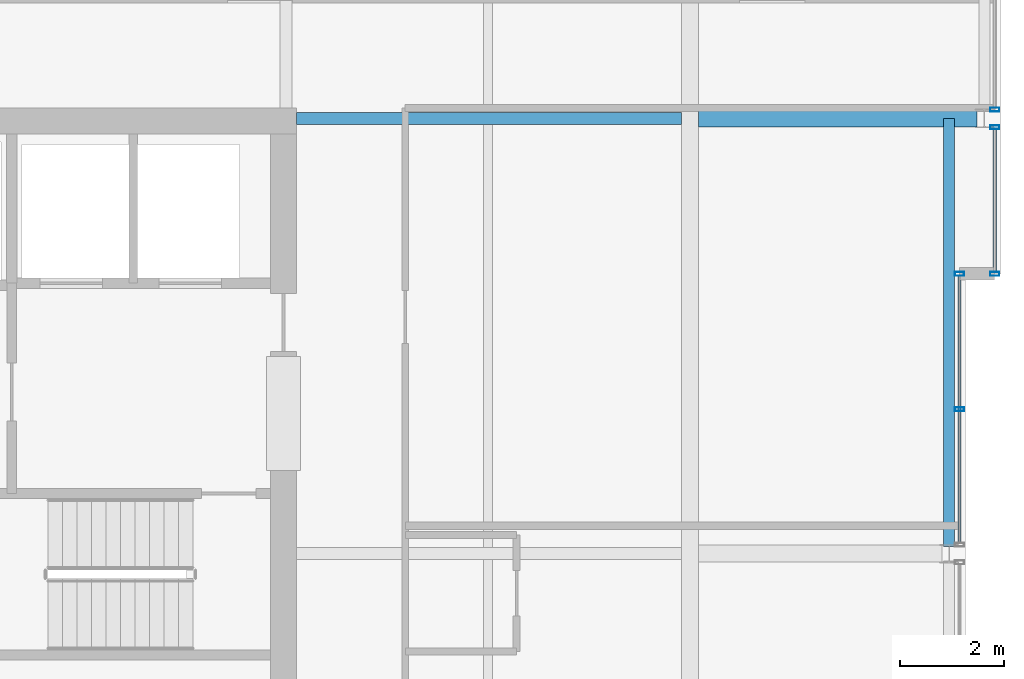
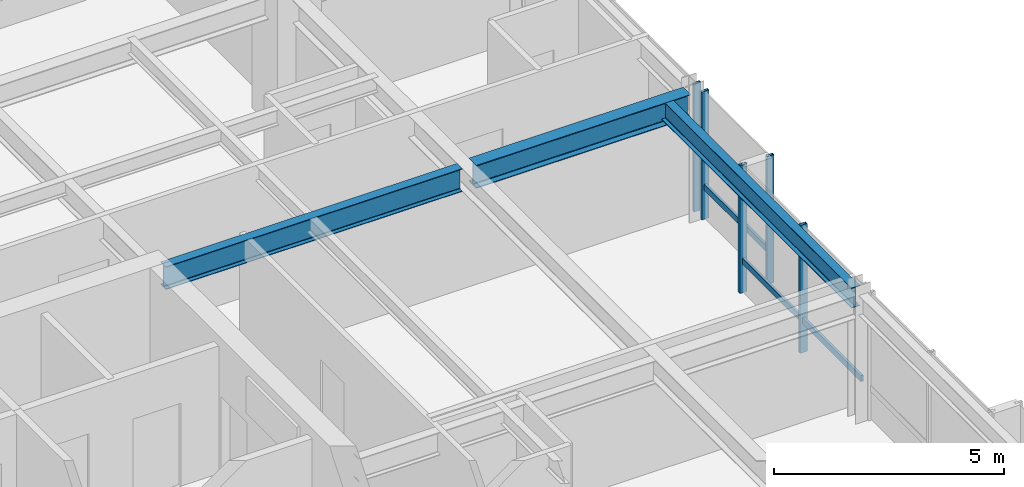
# One storey, part 19 of 33: 7 members, 3 beams, 3 elements without a shape of their own.
"""IFC4 building model written with IfcOpenShell, lengths in metres."""

from ifc_helpers import new_model, si_unit, direction, frame, origin, origin_2d, place, context, subcontext, project, spatial, hollow_rectangle, i_section, extrude, material, layer, layer_set, material_profile, profile_set, type_object, element, aggregate, save


model = new_model("IFC4")

# Units and contexts
model_context = context("Model", 3, precision=1e-05, world=origin(), true_north=direction((0.0, 1.0)))
body_context = subcontext(model_context, "Body", "Model", "MODEL_VIEW")
ifc_project = project(units=[si_unit("LENGTHUNIT", "METRE"), si_unit("AREAUNIT", "SQUARE_METRE"), si_unit("VOLUMEUNIT", "CUBIC_METRE"), si_unit("PLANEANGLEUNIT", "RADIAN"), si_unit("MASSUNIT", "GRAM", prefix="KILO")], contexts=[model_context])

# Site, building, storey
site_placement = place(None, origin())
site = spatial("IfcSite", under=ifc_project, at=site_placement, CompositionType="ELEMENT")
building_placement = place(site_placement, origin())
building = spatial("IfcBuilding", under=site, at=building_placement, Name="Drelvath Grand Hotel", CompositionType="ELEMENT")
storey_placement = place(building_placement, frame((0.0, 0.0, 275.949951171875)))
storey = spatial("IfcBuildingStorey", under=building, at=storey_placement, Name="L72", CompositionType="ELEMENT", Elevation=275.949951171875)

# Curtain wall, member
ifc_material_1 = material(Name="Platinum-Mist Anodised Aluminium Frame", Category="aluminium")
ifc_layer = layer(ifc_material_1, 0.199951171875)
ifc_layer_set = layer_set([ifc_layer], Name="Platinum-Mist Anodised Aluminium Frame")
curtain_wall_type = type_object("IfcCurtainWallType", Name="Stick Curtain Wall CW-05 Platinum Mist High-Rise", PredefinedType="NOTDEFINED", material=ifc_layer_set)
curtain_wall_1_placement = place(storey_placement, origin())
curtain_wall_1 = element("IfcCurtainWall", 1, at=curtain_wall_1_placement, inside=storey, type_object=curtain_wall_type, Name="L72 CW-05 Curtain Wall CW05-L72-EN1", PredefinedType="NOTDEFINED")
ifc_material_profile_1 = material_profile(ifc_material_1, hollow_rectangle(XDim=0.06494140625, YDim=0.159912109375, WallThickness=0.00390625, at=origin_2d()), Name="HSS160X65X4")
ifc_profile_set_1 = profile_set([ifc_material_profile_1], Name="Platinum-Mist Anodised Aluminium Frame")
member_type_1 = type_object("IfcMemberType", Name="Curtain Wall Horizontal Transom CW-05 HSS160X65X4", PredefinedType="USERDEFINED", material=ifc_profile_set_1)
member_1_placement = place(storey_placement, frame((22.080078125, 35.18994140625, 0.84765625), z_axis=(0.0, -1.0, 0.0), x_axis=(1.0, 0.0, 0.0)))
member_1 = element("IfcMember", 2, at=member_1_placement, type_object=member_type_1, Name="CW05-L72-EN1 Sill Transom", ObjectType="TRANSOM", PredefinedType="USERDEFINED", context=body_context, shape_type="SweptSolid", body=[
    extrude(hollow_rectangle(XDim=0.06494140625, YDim=0.159912109375, WallThickness=0.00390625, at=origin_2d()), origin(), (0.0, 0.0, 1.0), 2.75),
])

curtain_wall_2_placement = place(storey_placement, origin())
curtain_wall_2 = element("IfcCurtainWall", 3, at=curtain_wall_2_placement, inside=storey, type_object=curtain_wall_type, Name="L72 CW-05 Curtain Wall CW05-L72-EM2", PredefinedType="NOTDEFINED")
member_2_placement = place(storey_placement, frame((21.39990234375, 32.360107421875, 0.84765625), z_axis=(0.0, -1.0, 0.0), x_axis=(1.0, 0.0, 0.0)))
member_2 = element("IfcMember", 4, at=member_2_placement, type_object=member_type_1, Name="CW05-L72-EM2 Sill Transom", ObjectType="TRANSOM", PredefinedType="USERDEFINED", context=body_context, shape_type="SweptSolid", body=[
    extrude(hollow_rectangle(XDim=0.06494140625, YDim=0.159912109375, WallThickness=0.00390625, at=origin_2d()), origin(), (0.0, 0.0, 1.0), 5.150146484375),
])

# Member
ifc_material_profile_2 = material_profile(ifc_material_1, hollow_rectangle(XDim=0.074951171875, YDim=0.179931640625, WallThickness=0.0048828125, at=origin_2d()), Name="HSS180X75X5")
ifc_profile_set_2 = profile_set([ifc_material_profile_2], Name="Platinum-Mist Anodised Aluminium Frame")
member_type_2 = type_object("IfcMemberType", Name="Curtain Wall Vertical Mullion CW-05 HSS180X75X5", PredefinedType="MULLION", material=ifc_profile_set_2)
member_3_placement = place(storey_placement, frame((22.080078125, 35.22998046875, 0.0), z_axis=(0.0, 0.0, 1.0), x_axis=(0.0, 1.0, 0.0)))
member_3 = element("IfcMember", 5, at=member_3_placement, type_object=member_type_2, Name="CW05-L72-EN1 Mullion 1", PredefinedType="MULLION", context=body_context, shape_type="SweptSolid", body=[
    extrude(hollow_rectangle(XDim=0.074951171875, YDim=0.179931640625, WallThickness=0.0048828125, at=origin_2d()), origin(), (0.0, 0.0, 1.0), 3.39013671875),
])

member_4_placement = place(storey_placement, frame((22.080078125, 32.39990234375, 0.0), z_axis=(0.0, 0.0, 1.0), x_axis=(0.0, 1.0, 0.0)))
member_4 = element("IfcMember", 6, at=member_4_placement, type_object=member_type_2, Name="CW05-L72-EN1 Mullion 2", PredefinedType="MULLION", context=body_context, shape_type="SweptSolid", body=[
    extrude(hollow_rectangle(XDim=0.074951171875, YDim=0.179931640625, WallThickness=0.0048828125, at=origin_2d()), origin(), (0.0, 0.0, 1.0), 3.39013671875),
])

aggregate(curtain_wall_1, [member_3, member_4, member_1])

# Curtain wall, member
curtain_wall_3_placement = place(storey_placement, origin())
curtain_wall_3 = element("IfcCurtainWall", 7, at=curtain_wall_3_placement, inside=storey, type_object=curtain_wall_type, Name="L72 CW-05 Curtain Wall CW05-L72-EN2", PredefinedType="NOTDEFINED")
member_5_placement = place(storey_placement, frame((22.080078125, 35.570068359375, 0.0), z_axis=(0.0, 0.0, 1.0), x_axis=(0.0, 1.0, 0.0)))
member_5 = element("IfcMember", 8, at=member_5_placement, type_object=member_type_2, Name="CW05-L72-EN2 Mullion 3", PredefinedType="MULLION", context=body_context, shape_type="SweptSolid", body=[
    extrude(hollow_rectangle(XDim=0.074951171875, YDim=0.179931640625, WallThickness=0.0048828125, at=origin_2d()), origin(), (0.0, 0.0, 1.0), 3.39013671875),
])
aggregate(curtain_wall_3, [member_5])

# Member
member_6_placement = place(storey_placement, frame((21.39990234375, 32.39990234375, 0.0), z_axis=(0.0, 0.0, 1.0), x_axis=(0.0, 1.0, 0.0)))
member_6 = element("IfcMember", 9, at=member_6_placement, type_object=member_type_2, Name="CW05-L72-EM2 Mullion 1", PredefinedType="MULLION", context=body_context, shape_type="SweptSolid", body=[
    extrude(hollow_rectangle(XDim=0.074951171875, YDim=0.179931640625, WallThickness=0.0048828125, at=origin_2d()), origin(), (0.0, 0.0, 1.0), 3.39013671875),
])

member_7_placement = place(storey_placement, frame((21.39990234375, 29.784912109375, 0.0), z_axis=(0.0, 0.0, 1.0), x_axis=(0.0, 1.0, 0.0)))
member_7 = element("IfcMember", 10, at=member_7_placement, type_object=member_type_2, Name="CW05-L72-EM2 Mullion 2", PredefinedType="MULLION", context=body_context, shape_type="SweptSolid", body=[
    extrude(hollow_rectangle(XDim=0.074951171875, YDim=0.179931640625, WallThickness=0.0048828125, at=origin_2d()), origin(), (0.0, 0.0, 1.0), 3.39013671875),
])

aggregate(curtain_wall_2, [member_6, member_7, member_2])

# Beams
ifc_material_2 = material(Name="Steel ASTM A992 Gr 50", Category="steel")
ifc_material_profile_3 = material_profile(ifc_material_2, i_section(OverallWidth=0.210205078125, OverallDepth=0.53662109375, WebThickness=0.010986328125, FlangeThickness=0.017333984375, FilletRadius=0.01806640625, at=origin_2d()), Name="W21X68")
ifc_profile_set_3 = profile_set([ifc_material_profile_3], Name="Steel ASTM A992 Gr 50")
beam_type_1 = type_object("IfcBeamType", Name="Perimeter Spandrel Beam W21X68", PredefinedType="SPANDREL", material=ifc_profile_set_3)
beam_1_placement = place(storey_placement, frame((21.199951171875, 27.139892578125, 3.12158203125), z_axis=(0.0, 1.0, 0.0), x_axis=(-1.0, 0.0, 0.0)))
element("IfcBeam", 11, at=beam_1_placement, inside=storey, type_object=beam_type_1, Name="L72 Spandrel East Mid N", PredefinedType="SPANDREL", context=body_context, shape_type="SweptSolid", body=[
    extrude(i_section(OverallWidth=0.210205078125, OverallDepth=0.53662109375, WebThickness=0.010986328125, FlangeThickness=0.017333984375, FilletRadius=0.01806640625, at=origin_2d()), origin(), (0.0, 0.0, 1.0), 8.260009765625),
])
ifc_material_profile_4 = material_profile(ifc_material_2, i_section(OverallWidth=0.323974609375, OverallDepth=0.611083984375, WebThickness=0.0126953125, FlangeThickness=0.01904296875, FilletRadius=0.02197265625, at=origin_2d()), Name="W24X104")
ifc_profile_set_4 = profile_set([ifc_material_profile_4], Name="Steel ASTM A992 Gr 50")
beam_type_2 = type_object("IfcBeamType", Name="Primary Floor Girder W24X104", PredefinedType="BEAM", material=ifc_profile_set_4)
beam_2_placement = place(storey_placement, frame((16.362060546875, 35.39990234375, 3.08447265625), z_axis=(1.0, 0.0, 0.0), x_axis=(0.0, 1.0, 0.0)))
element("IfcBeam", 12, at=beam_2_placement, inside=storey, type_object=beam_type_2, Name="L72 East Wing Girder F", PredefinedType="BEAM", context=body_context, shape_type="SweptSolid", body=[
    extrude(i_section(OverallWidth=0.323974609375, OverallDepth=0.611083984375, WebThickness=0.0126953125, FlangeThickness=0.01904296875, FilletRadius=0.02197265625, at=origin_2d()), origin(), (0.0, 0.0, 1.0), 5.3779296875),
])
ifc_material_profile_5 = material_profile(ifc_material_2, i_section(OverallWidth=0.228271484375, OverallDepth=0.607666015625, WebThickness=0.01123046875, FlangeThickness=0.017333984375, FilletRadius=0.02001953125, at=origin_2d()), Name="W24X76")
ifc_profile_set_5 = profile_set([ifc_material_profile_5], Name="Steel ASTM A992 Gr 50")
beam_type_3 = type_object("IfcBeamType", Name="Primary Floor Girder W24X76", PredefinedType="BEAM", material=ifc_profile_set_5)
beam_3_placement = place(storey_placement, frame((8.60009765625, 35.39990234375, 3.086181640625), z_axis=(1.0, 0.0, 0.0), x_axis=(0.0, 1.0, 0.0)))
element("IfcBeam", 13, at=beam_3_placement, inside=storey, type_object=beam_type_3, Name="L72 East Core Tie F", PredefinedType="BEAM", context=body_context, shape_type="SweptSolid", body=[
    extrude(i_section(OverallWidth=0.228271484375, OverallDepth=0.607666015625, WebThickness=0.01123046875, FlangeThickness=0.017333984375, FilletRadius=0.02001953125, at=origin_2d()), origin(), (0.0, 0.0, 1.0), 7.43798828125),
])

save(model, "model.ifc")
